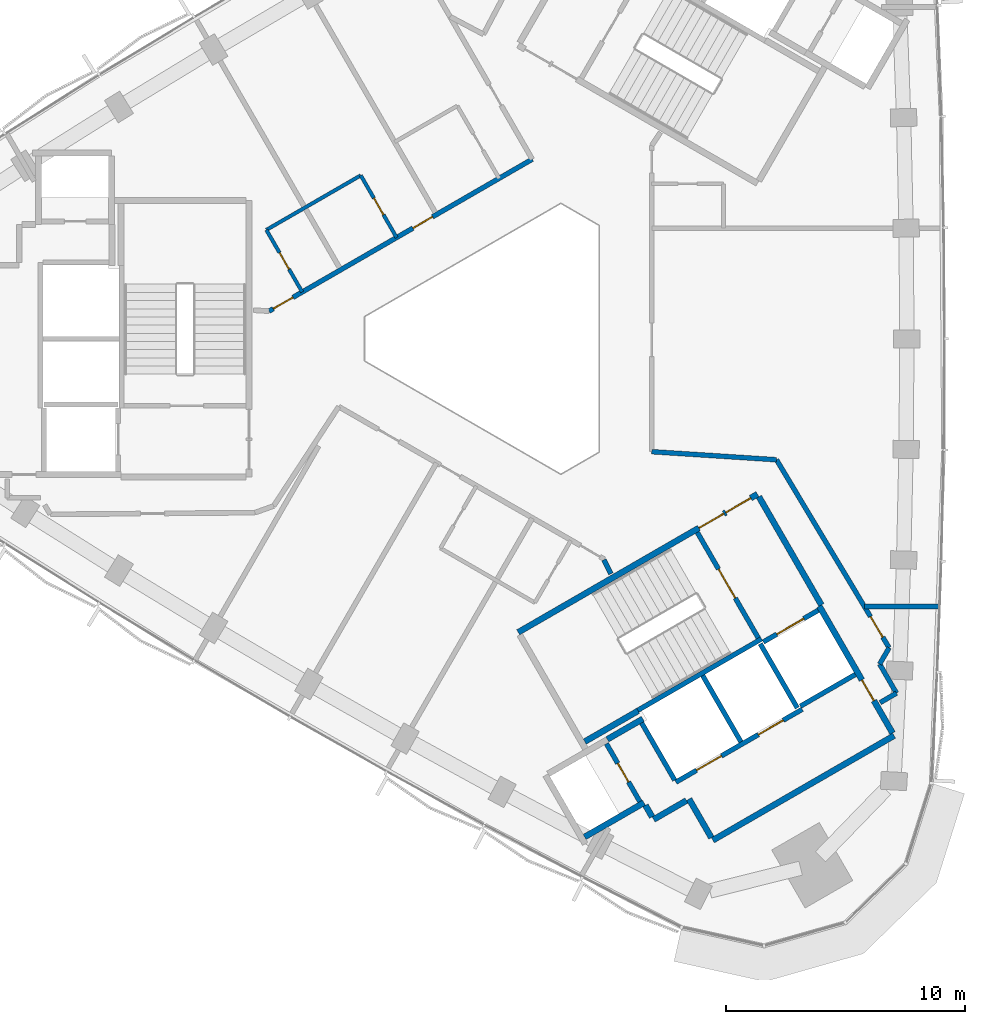
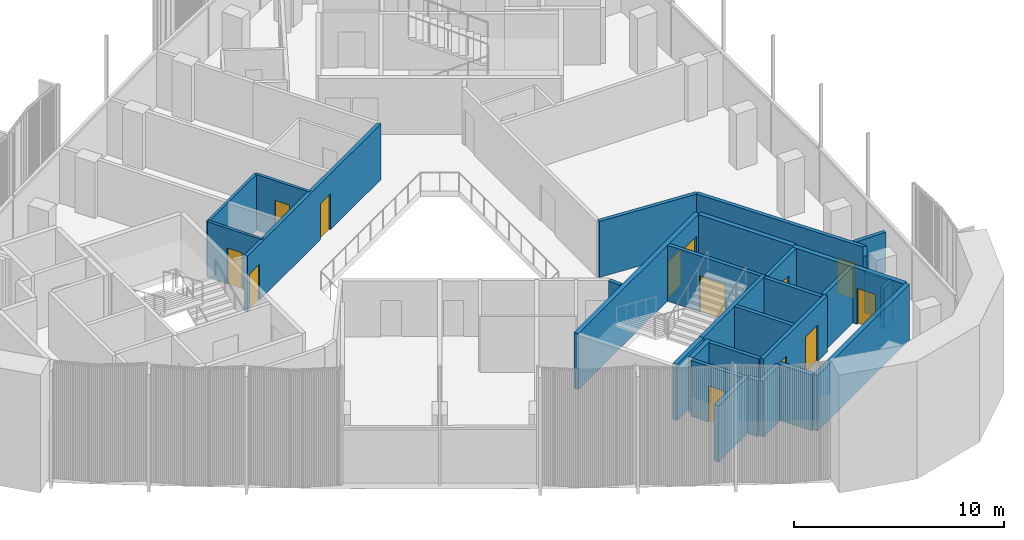
# One storey, part 9 of 14: 30 walls, 13 doors, 13 openings.
"""IFC4 building model written with IfcOpenShell, lengths in metres."""

import ifcopenshell
import ifcopenshell.guid

model = None  # the IFC model being written
_history = None  # IfcOwnerHistory: only IFC2X3 demands one
_inside = {}  # id of a spatial element -> (the spatial element, [elements in it])
_under = {}  # id of a project, library or spatial element -> (it, [spatial elements below it])
_declared = {}  # id of a project -> (the project, [libraries it declares])
_typed = {}  # id of a type object -> (the type object, [elements of that type])
_made_of = {}  # id of a material, layer set ... -> (it, [elements and type objects made of it])


def new_model(schema):
    """Start an empty IFC model of exactly this schema.

    Asked for "IFC4X3", IfcOpenShell would pick the latest addendum, in which some entities
    have other attributes; the version numbers below select the first issue.
    IFC2X3 requires an IfcOwnerHistory on every rooted entity: one is made here for all.
    """
    global model, _history
    if schema == "IFC4X3":
        model = ifcopenshell.file(schema_version=(4, 3, 0, 0))
    else:
        model = ifcopenshell.file(schema=schema)
    _inside.clear()
    _under.clear()
    _declared.clear()
    _typed.clear()
    _made_of.clear()
    _history = None
    if model.schema == "IFC2X3":
        org = make("IfcOrganization", Name="unknown")
        user = make(
            "IfcPersonAndOrganization",
            ThePerson=make("IfcPerson", FamilyName="unknown"),
            TheOrganization=org,
        )
        app = make(
            "IfcApplication",
            ApplicationDeveloper=org,
            Version="unknown",
            ApplicationFullName="unknown",
            ApplicationIdentifier="unknown",
        )
        _history = make(
            "IfcOwnerHistory",
            OwningUser=user,
            OwningApplication=app,
            ChangeAction="ADDED",
            CreationDate=0,
        )
    return model


def make(cls, **values):
    """One entity of the class cls with the attributes given. An attribute that is None is left unset."""
    return model.create_entity(
        cls, **{name: value for name, value in values.items() if value is not None}
    )


def rooted(cls, **values):
    """An entity with a GlobalId (a new one), such as an element, a storey or a relation."""
    return make(cls, GlobalId=ifcopenshell.guid.new(), OwnerHistory=_history, **values)


def si_unit(unit_type, name, prefix=None):
    """IfcSIUnit, for example si_unit("LENGTHUNIT", "METRE", prefix="MILLI")."""
    return make("IfcSIUnit", UnitType=unit_type, Prefix=prefix, Name=name)


def assignment(units):
    """IfcUnitAssignment: the units of a project."""
    return None if units is None else make("IfcUnitAssignment", Units=units)


def point(xyz):
    """IfcCartesianPoint."""
    return None if xyz is None else make("IfcCartesianPoint", Coordinates=xyz)


def direction(xyz):
    """IfcDirection."""
    return None if xyz is None else make("IfcDirection", DirectionRatios=xyz)


def frame(location, z_axis=None, x_axis=None):
    """IfcAxis2Placement3D, a coordinate frame: its origin and axes. An axis left out is left unset."""
    return make(
        "IfcAxis2Placement3D",
        Location=point(location),
        Axis=direction(z_axis),
        RefDirection=direction(x_axis),
    )


def frame_2d(location, x_axis=None):
    """IfcAxis2Placement2D, a coordinate frame in the plane: its origin and x axis."""
    return make(
        "IfcAxis2Placement2D", Location=point(location), RefDirection=direction(x_axis)
    )


def origin():
    """The frame at (0, 0, 0) with its axes left unset."""
    return frame((0.0, 0.0, 0.0))


def place(relative_to, where):
    """IfcLocalPlacement: puts the frame where relative to a parent placement (None: the world)."""
    return make(
        "IfcLocalPlacement", PlacementRelTo=relative_to, RelativePlacement=where
    )


def context(
    kind, dimensions, precision=None, world=None, true_north=None, identifier=None
):
    """IfcGeometricRepresentationContext, for example the 3D "Model" context."""
    return make(
        "IfcGeometricRepresentationContext",
        ContextIdentifier=identifier,
        ContextType=kind,
        CoordinateSpaceDimension=dimensions,
        Precision=precision,
        WorldCoordinateSystem=world,
        TrueNorth=true_north,
    )


def subcontext(parent, identifier, kind, view, scale=None):
    """IfcGeometricRepresentationSubContext, for example "Body" below "Model"."""
    return make(
        "IfcGeometricRepresentationSubContext",
        ContextIdentifier=identifier,
        ContextType=kind,
        ParentContext=parent,
        TargetScale=scale,
        TargetView=view,
    )


def project(units=None, contexts=None):
    """IfcProject with its units and contexts."""
    return rooted(
        "IfcProject",
        Name="project",
        RepresentationContexts=contexts,
        UnitsInContext=assignment(units),
    )


def spatial(cls, under=None, at=None, **own):
    """A site, building, storey or space (cls), placed at a placement, below another one or the project."""
    s = rooted(cls, ObjectPlacement=at, **own)
    if under is not None:
        _under.setdefault(under.id(), (under, []))[1].append(s)
    return s


def profile(cls, at=None, kind="AREA", **sizes):
    """A parametric profile (cls). Its sizes go by their IFC names, for example OverallWidth=200.0."""
    return make(cls, ProfileType=kind, Position=at, **sizes)


def rectangle(**sizes):
    """IfcRectangleProfileDef."""
    return profile("IfcRectangleProfileDef", **sizes)


def extrude(swept, where, along, depth):
    """IfcExtrudedAreaSolid: the profile swept, set in the frame where, extruded along a direction by depth."""
    return make(
        "IfcExtrudedAreaSolid",
        SweptArea=swept,
        Position=where,
        ExtrudedDirection=direction(along),
        Depth=depth,
    )


def shape(context_of_items, identifier, shape_type, items):
    """IfcShapeRepresentation: the items that make up one representation, for example the "Body"."""
    return make(
        "IfcShapeRepresentation",
        ContextOfItems=context_of_items,
        RepresentationIdentifier=identifier,
        RepresentationType=shape_type,
        Items=items,
    )


def material(Name=None, Category=None):
    """IfcMaterial."""
    return make("IfcMaterial", Name=Name, Category=Category)


def layer(
    of_material, thickness, ventilated=None, Name=None, Category=None, Priority=None
):
    """IfcMaterialLayer: one layer of a wall or slab, of a material (None: an air gap)."""
    return make(
        "IfcMaterialLayer",
        Material=of_material,
        LayerThickness=thickness,
        IsVentilated=ventilated,
        Name=Name,
        Category=Category,
        Priority=Priority,
    )


def layer_set(layers, Name=None):
    """IfcMaterialLayerSet."""
    return make("IfcMaterialLayerSet", MaterialLayers=layers, LayerSetName=Name)


def made_of(thing, what):
    """Note that an element or type object is made of a material, layer set ...; save() writes the relation."""
    if what is not None:
        _made_of.setdefault(what.id(), (what, []))[1].append(thing)
    return thing


def type_object(cls, material=None, **own):
    """A type object (cls), such as IfcWallType, which elements share."""
    return made_of(rooted(cls, **own), material)


def element(
    cls,
    number,
    at=None,
    inside=None,
    cuts=None,
    type_object=None,
    material=None,
    context=None,
    identifier="Body",
    shape_type=None,
    held_by="IfcProductDefinitionShape",
    body=None,
    shapes=None,
    **own,
):
    """One element of the class cls, such as IfcWall. Its Tag is "e" and its number.

    at: its placement. inside: the storey or other place that contains it. cuts: it is an
    opening in that element (IfcRelVoidsElement). A single representation is given by context,
    identifier, shape_type and body (its items); several are given by shapes. held_by: the class
    of the entity that holds the representations. save() writes the other relations.
    """
    e = rooted(cls, Tag="e%d" % number, ObjectPlacement=at, **own)
    if body is not None:
        shapes = [shape(context, identifier, shape_type, body)]
    if shapes is not None:
        e.Representation = make(held_by, Representations=shapes)
    if inside is not None:
        _inside.setdefault(inside.id(), (inside, []))[1].append(e)
    if cuts is not None:
        rooted(
            "IfcRelVoidsElement", RelatingBuildingElement=cuts, RelatedOpeningElement=e
        )
    if type_object is not None:
        _typed.setdefault(type_object.id(), (type_object, []))[1].append(e)
    return made_of(e, material)


def fill(opening, filler):
    """IfcRelFillsElement: the door or window that sits in an opening."""
    return rooted(
        "IfcRelFillsElement",
        RelatingOpeningElement=opening,
        RelatedBuildingElement=filler,
    )


def aggregate(whole, parts):
    """IfcRelAggregates: a whole, such as a stair, and the parts it consists of."""
    return rooted("IfcRelAggregates", RelatingObject=whole, RelatedObjects=parts)


def save(model, path):
    """Write the relations noted so far, then the file.

    IfcRelAggregates (storeys below a building ...), IfcRelContainedInSpatialStructure (elements
    in a storey), IfcRelDefinesByType, IfcRelAssociatesMaterial and IfcRelDeclares: one each for
    every whole, place, type object, material and project.
    """
    for whole, parts in _under.values():
        aggregate(whole, parts)
    for where, things in _inside.values():
        rooted(
            "IfcRelContainedInSpatialStructure",
            RelatedElements=things,
            RelatingStructure=where,
        )
    for kind, things in _typed.values():
        rooted("IfcRelDefinesByType", RelatedObjects=things, RelatingType=kind)
    for what, things in _made_of.values():
        rooted("IfcRelAssociatesMaterial", RelatedObjects=things, RelatingMaterial=what)
    for by, libraries in _declared.values():
        rooted("IfcRelDeclares", RelatingContext=by, RelatedDefinitions=libraries)
    model.write(path)


model = new_model("IFC4")

# Units and contexts
model_context = context("Model", 3, precision=1e-05, world=origin(), true_north=direction((0.0, 1.0)))
body_context = subcontext(model_context, "Body", "Model", "MODEL_VIEW")
ifc_project = project(units=[si_unit("LENGTHUNIT", "METRE"), si_unit("AREAUNIT", "SQUARE_METRE"), si_unit("VOLUMEUNIT", "CUBIC_METRE"), si_unit("PLANEANGLEUNIT", "RADIAN"), si_unit("MASSUNIT", "GRAM", prefix="KILO")], contexts=[model_context])

# Site, building, storey
site_placement = place(None, origin())
site = spatial("IfcSite", under=ifc_project, at=site_placement, CompositionType="ELEMENT")
building_placement = place(site_placement, origin())
building = spatial("IfcBuilding", under=site, at=building_placement, Name="Tamra Quay Hotel Tower", CompositionType="ELEMENT")
storey_placement = place(building_placement, frame((0.0, 0.0, 221.39990234375)))
storey = spatial("IfcBuildingStorey", under=building, at=storey_placement, Name="L55", CompositionType="ELEMENT", Elevation=221.39990234375)

# Wall
ifc_material_1 = material(Name="Concrete M70", Category="concrete")
ifc_layer_1 = layer(ifc_material_1, 0.199951171875)
ifc_layer_set_1 = layer_set([ifc_layer_1], Name="Concrete M70 core wall 200")
wall_type_1 = type_object("IfcWallType", Name="Concrete M70 core wall 200", PredefinedType="SHEAR", material=ifc_layer_set_1)
wall_1_placement = place(storey_placement, frame((5.4189453125, -15.533935546875, 0.0), z_axis=(0.0, 0.0, 1.0), x_axis=(0.866029065029, 0.499993658486, 0.0)))
element("IfcWall", 1, at=wall_1_placement, inside=storey, type_object=wall_type_1, Name="CW2", PredefinedType="SHEAR", context=body_context, shape_type="SweptSolid", body=[
    extrude(rectangle(XDim=5.97412109375, YDim=0.199951171875, at=frame_2d((2.987060546875, 0.0))), origin(), (0.0, 0.0, 1.0), 3.25),
])

# Wall, openings, doors
wall_2_placement = place(storey_placement, frame((7.009765625, -18.54150390625, 0.0), z_axis=(0.0, 0.0, 1.0), x_axis=(0.866030299012, 0.499991521122, 0.0)))
wall_2 = element("IfcWall", 2, at=wall_2_placement, inside=storey, type_object=wall_type_1, Name="CW2", PredefinedType="SHEAR", context=body_context, shape_type="SweptSolid", body=[
    extrude(rectangle(XDim=6.10009765625, YDim=0.199951171875, at=frame_2d((3.050048828125, 0.0))), origin(), (0.0, 0.0, 1.0), 3.25),
])
opening_1_placement = place(wall_2_placement, frame((1.0, 0.0, 0.0)))
opening_1 = element("IfcOpeningElement", 3, at=opening_1_placement, cuts=wall_2, Name="Opening LD", PredefinedType="OPENING", context=body_context, shape_type="SweptSolid", body=[
    extrude(rectangle(XDim=1.199951171875, YDim=2.10009765625, at=frame_2d((0.60009765625, 1.050048828125))), frame((0.0, 0.10986328125, 0.0), z_axis=(0.0, -1.0, 0.0), x_axis=(1.0, 0.0, 0.0)), (0.0, 0.0, 1.0), 0.219970703125),
])
opening_2_placement = place(wall_2_placement, frame((3.982177734375, 0.0, 0.0)))
opening_2 = element("IfcOpeningElement", 4, at=opening_2_placement, cuts=wall_2, Name="Opening LD", PredefinedType="OPENING", context=body_context, shape_type="SweptSolid", body=[
    extrude(rectangle(XDim=1.199951171875, YDim=2.10009765625, at=frame_2d((0.60009765625, 1.050048828125))), frame((0.0, 0.10986328125, 0.0), z_axis=(0.0, -1.0, 0.0), x_axis=(1.0, 0.0, 0.0)), (0.0, 0.0, 1.0), 0.219970703125),
])
ifc_material_2 = material(Name="Landing door LD 1200 double door sliding")
door_type_1 = type_object("IfcDoorType", Name="Landing door LD 1200 double door sliding", OperationType="DOUBLE_DOOR_SLIDING", PredefinedType="DOOR", material=ifc_material_2)
door_1_placement = place(opening_1_placement, origin())
door_1 = element("IfcDoor", 5, at=door_1_placement, inside=storey, type_object=door_type_1, Name="LD", OperationType="DOUBLE_DOOR_SLIDING", OverallHeight=2.10009765625, OverallWidth=1.199951171875, PredefinedType="DOOR", context=body_context, shape_type="SweptSolid", body=[
    extrude(rectangle(XDim=1.199951171875, YDim=2.10009765625, at=frame_2d((0.60009765625, 1.050048828125))), frame((0.0, 0.02490234375, 0.0), z_axis=(0.0, -1.0, 0.0), x_axis=(1.0, 0.0, 0.0)), (0.0, 0.0, 1.0), 0.050048828125),
])
fill(opening_1, door_1)
door_2_placement = place(opening_2_placement, origin())
door_2 = element("IfcDoor", 6, at=door_2_placement, inside=storey, type_object=door_type_1, Name="LD", OperationType="DOUBLE_DOOR_SLIDING", OverallHeight=2.10009765625, OverallWidth=1.199951171875, PredefinedType="DOOR", context=body_context, shape_type="SweptSolid", body=[
    extrude(rectangle(XDim=1.199951171875, YDim=2.10009765625, at=frame_2d((0.60009765625, 1.050048828125))), frame((0.0, 0.02490234375, 0.0), z_axis=(0.0, -1.0, 0.0), x_axis=(1.0, 0.0, 0.0)), (0.0, 0.0, 1.0), 0.050048828125),
])
fill(opening_2, door_2)

# Wall, opening, door
wall_3_placement = place(storey_placement, frame((7.906494140625, -8.094482421875, 0.0), z_axis=(0.0, 0.0, 1.0), x_axis=(0.500027839223, -0.866009330205, 0.0)))
wall_3 = element("IfcWall", 7, at=wall_3_placement, inside=storey, type_object=wall_type_1, Name="CW2", PredefinedType="SHEAR", context=body_context, shape_type="SweptSolid", body=[
    extrude(rectangle(XDim=5.097900390625, YDim=0.199951171875, at=frame_2d((2.548828125, 0.0))), origin(), (0.0, 0.0, 1.0), 3.25),
])
opening_3_placement = place(wall_3_placement, frame((1.77392578125, 0.0, 0.0)))
opening_3 = element("IfcOpeningElement", 8, at=opening_3_placement, cuts=wall_3, Name="Opening FD2", PredefinedType="OPENING", context=body_context, shape_type="SweptSolid", body=[
    extrude(rectangle(XDim=1.39990234375, YDim=2.10009765625, at=frame_2d((0.699951171875, 1.050048828125))), frame((0.0, 0.10986328125, 0.0), z_axis=(0.0, -1.0, 0.0), x_axis=(1.0, 0.0, 0.0)), (0.0, 0.0, 1.0), 0.219970703125),
])
ifc_material_3 = material(Name="Core door FD2 1400x2100 RH")
door_type_2 = type_object("IfcDoorType", Name="Core door FD2 1400x2100 RH", OperationType="NOTDEFINED", PredefinedType="DOOR", material=ifc_material_3)
door_3_placement = place(opening_3_placement, origin())
door_3 = element("IfcDoor", 9, at=door_3_placement, inside=storey, type_object=door_type_2, Name="FD2", OperationType="SINGLE_SWING_RIGHT", OverallHeight=2.10009765625, OverallWidth=1.39990234375, PredefinedType="DOOR", context=body_context, shape_type="SweptSolid", body=[
    extrude(rectangle(XDim=1.39990234375, YDim=2.10009765625, at=frame_2d((0.699951171875, 1.050048828125))), frame((0.0, 0.02490234375, 0.0), z_axis=(0.0, -1.0, 0.0), x_axis=(1.0, 0.0, 0.0)), (0.0, 0.0, 1.0), 0.050048828125),
])
fill(opening_3, door_3)

# Wall
wall_4_placement = place(storey_placement, frame((8.131591796875, -14.084228515625, 0.0), z_axis=(0.0, 0.0, 1.0), x_axis=(0.499997778408, -0.866026686418, 0.0)))
element("IfcWall", 10, at=wall_4_placement, inside=storey, type_object=wall_type_1, Name="CW2", PredefinedType="SHEAR", context=body_context, shape_type="SweptSolid", body=[
    extrude(rectangle(XDim=3.1982421875, YDim=0.199951171875, at=frame_2d((1.59912109375, 0.0))), origin(), (0.0, 0.0, 1.0), 3.25),
])

# Wall, opening, door
wall_5_placement = place(storey_placement, frame((5.50341796875, -19.352294921875, 0.0), z_axis=(0.0, 0.0, 1.0), x_axis=(-0.499986818241, 0.866033014143, 0.0)))
wall_5 = element("IfcWall", 11, at=wall_5_placement, inside=storey, type_object=wall_type_1, Name="CW2", PredefinedType="SHEAR", context=body_context, shape_type="SweptSolid", body=[
    extrude(rectangle(XDim=2.7978515625, YDim=0.199951171875, at=frame_2d((1.39892578125, 0.0))), origin(), (0.0, 0.0, 1.0), 3.25),
])
opening_4_placement = place(wall_5_placement, frame((0.948974609375, 0.0, 0.0)))
opening_4 = element("IfcOpeningElement", 12, at=opening_4_placement, cuts=wall_5, Name="Opening D1", PredefinedType="OPENING", context=body_context, shape_type="SweptSolid", body=[
    extrude(rectangle(XDim=0.89990234375, YDim=2.10009765625, at=frame_2d((0.449951171875, 1.050048828125))), frame((0.0, 0.10986328125, 0.0), z_axis=(0.0, -1.0, 0.0), x_axis=(1.0, 0.0, 0.0)), (0.0, 0.0, 1.0), 0.219970703125),
])
ifc_material_4 = material(Name="Core door D1 900x2100 LH")
door_type_3 = type_object("IfcDoorType", Name="Core door D1 900x2100 LH", OperationType="NOTDEFINED", PredefinedType="DOOR", material=ifc_material_4)
door_4_placement = place(opening_4_placement, origin())
door_4 = element("IfcDoor", 13, at=door_4_placement, inside=storey, type_object=door_type_3, Name="D1", OperationType="SINGLE_SWING_LEFT", OverallHeight=2.10009765625, OverallWidth=0.89990234375, PredefinedType="DOOR", context=body_context, shape_type="SweptSolid", body=[
    extrude(rectangle(XDim=0.89990234375, YDim=2.10009765625, at=frame_2d((0.449951171875, 1.050048828125))), frame((0.0, 0.02490234375, 0.0), z_axis=(0.0, -1.0, 0.0), x_axis=(1.0, 0.0, 0.0)), (0.0, 0.0, 1.0), 0.050048828125),
])
fill(opening_4, door_4)

# Walls
wall_6_placement = place(storey_placement, frame((6.959716796875, -18.455078125, 0.0), z_axis=(0.0, 0.0, 1.0), x_axis=(-0.499926705758, 0.866067716099, 0.0)))
element("IfcWall", 14, at=wall_6_placement, inside=storey, type_object=wall_type_1, Name="CW2", PredefinedType="SHEAR", context=body_context, shape_type="SweptSolid", body=[
    extrude(rectangle(XDim=2.75927734375, YDim=0.199951171875, at=frame_2d((1.379638671875, 0.0))), origin(), (0.0, 0.0, 1.0), 3.25),
])
wall_7_placement = place(storey_placement, frame((12.087646484375, -15.4365234375, 0.0), z_axis=(0.0, 0.0, 1.0), x_axis=(-0.500026960575, 0.86600983753, 0.0)))
element("IfcWall", 15, at=wall_7_placement, inside=storey, type_object=wall_type_1, Name="CW2", PredefinedType="SHEAR", context=body_context, shape_type="SweptSolid", body=[
    extrude(rectangle(XDim=3.099853515625, YDim=0.199951171875, at=frame_2d((1.5498046875, 0.0))), origin(), (0.0, 0.0, 1.0), 3.25),
])

# Wall, opening, door
wall_8_placement = place(storey_placement, frame((10.666015625, -12.677734375, 0.0), z_axis=(0.0, 0.0, 1.0), x_axis=(0.866018407898, 0.500012117035, 0.0)))
wall_8 = element("IfcWall", 16, at=wall_8_placement, inside=storey, type_object=wall_type_1, Name="CW2", PredefinedType="SHEAR", context=body_context, shape_type="SweptSolid", body=[
    extrude(rectangle(XDim=2.65087890625, YDim=0.199951171875, at=frame_2d((1.325439453125, 0.0))), origin(), (0.0, 0.0, 1.0), 3.25),
])
opening_5_placement = place(wall_8_placement, frame((0.65185546875, 0.0, 0.0)))
opening_5 = element("IfcOpeningElement", 17, at=opening_5_placement, cuts=wall_8, Name="Opening LD", PredefinedType="OPENING", context=body_context, shape_type="SweptSolid", body=[
    extrude(rectangle(XDim=1.300048828125, YDim=2.10009765625, at=frame_2d((0.64990234375, 1.050048828125))), frame((0.0, 0.10986328125, 0.0), z_axis=(0.0, -1.0, 0.0), x_axis=(1.0, 0.0, 0.0)), (0.0, 0.0, 1.0), 0.219970703125),
])
ifc_material_5 = material(Name="Landing door LD 1300 sliding to right")
door_type_4 = type_object("IfcDoorType", Name="Landing door LD 1300 sliding to right", OperationType="NOTDEFINED", PredefinedType="DOOR", material=ifc_material_5)
door_5_placement = place(opening_5_placement, origin())
door_5 = element("IfcDoor", 18, at=door_5_placement, inside=storey, type_object=door_type_4, Name="LD", OperationType="SLIDING_TO_RIGHT", OverallHeight=2.10009765625, OverallWidth=1.300048828125, PredefinedType="DOOR", context=body_context, shape_type="SweptSolid", body=[
    extrude(rectangle(XDim=1.300048828125, YDim=2.10009765625, at=frame_2d((0.64990234375, 1.050048828125))), frame((0.0, 0.02490234375, 0.0), z_axis=(0.0, -1.0, 0.0), x_axis=(1.0, 0.0, 0.0)), (0.0, 0.0, 1.0), 0.050048828125),
])
fill(opening_5, door_5)

# Wall
wall_9_placement = place(storey_placement, frame((14.51171875, -14.037109375, 0.0), z_axis=(0.0, 0.0, 1.0), x_axis=(-0.866018407898, -0.500012117035, 0.0)))
element("IfcWall", 19, at=wall_9_placement, inside=storey, type_object=wall_type_1, Name="CW2", PredefinedType="SHEAR", context=body_context, shape_type="SweptSolid", body=[
    extrude(rectangle(XDim=2.65087890625, YDim=0.199951171875, at=frame_2d((1.325439453125, 0.0))), origin(), (0.0, 0.0, 1.0), 3.25),
])

# Wall, openings, doors
ifc_layer_2 = layer(ifc_material_1, 0.25)
ifc_layer_set_2 = layer_set([ifc_layer_2], Name="Concrete M70 core wall 250")
wall_type_2 = type_object("IfcWallType", Name="Concrete M70 core wall 250", PredefinedType="SHEAR", material=ifc_layer_set_2)
wall_10_placement = place(storey_placement, frame((0.417236328125, -12.27294921875, 0.0), z_axis=(0.0, 0.0, 1.0), x_axis=(0.866021906294, 0.500006057782, 0.0)))
wall_10 = element("IfcWall", 20, at=wall_10_placement, inside=storey, type_object=wall_type_2, Name="CW1", PredefinedType="SHEAR", context=body_context, shape_type="SweptSolid", body=[
    extrude(rectangle(XDim=11.550048828125, YDim=0.25, at=frame_2d((5.77490234375, 0.0))), origin(), (0.0, 0.0, 1.0), 3.25),
])
opening_6_placement = place(wall_10_placement, frame((10.024658203125, 0.0, 0.0)))
opening_6 = element("IfcOpeningElement", 21, at=opening_6_placement, cuts=wall_10, Name="Opening FD1", PredefinedType="OPENING", context=body_context, shape_type="SweptSolid", body=[
    extrude(rectangle(XDim=1.199951171875, YDim=2.10009765625, at=frame_2d((0.60009765625, 1.050048828125))), frame((0.0, 0.135009765625, 0.0), z_axis=(0.0, -1.0, 0.0), x_axis=(1.0, 0.0, 0.0)), (0.0, 0.0, 1.0), 0.27001953125),
])
opening_7_placement = place(wall_10_placement, frame((8.724609375, 0.0, 0.0)))
opening_7 = element("IfcOpeningElement", 22, at=opening_7_placement, cuts=wall_10, Name="Opening FD1", PredefinedType="OPENING", context=body_context, shape_type="SweptSolid", body=[
    extrude(rectangle(XDim=1.199951171875, YDim=2.10009765625, at=frame_2d((0.60009765625, 1.050048828125))), frame((0.0, 0.135009765625, 0.0), z_axis=(0.0, -1.0, 0.0), x_axis=(1.0, 0.0, 0.0)), (0.0, 0.0, 1.0), 0.27001953125),
])
ifc_material_6 = material(Name="Core door FD1 1200x2100 LH")
door_type_5 = type_object("IfcDoorType", Name="Core door FD1 1200x2100 LH", OperationType="NOTDEFINED", PredefinedType="DOOR", material=ifc_material_6)
door_6_placement = place(opening_6_placement, origin())
door_6 = element("IfcDoor", 23, at=door_6_placement, inside=storey, type_object=door_type_5, Name="FD1", OperationType="SINGLE_SWING_LEFT", OverallHeight=2.10009765625, OverallWidth=1.199951171875, PredefinedType="DOOR", context=body_context, shape_type="SweptSolid", body=[
    extrude(rectangle(XDim=1.199951171875, YDim=2.10009765625, at=frame_2d((0.60009765625, 1.050048828125))), frame((0.0, 0.02490234375, 0.0), z_axis=(0.0, -1.0, 0.0), x_axis=(1.0, 0.0, 0.0)), (0.0, 0.0, 1.0), 0.050048828125),
])
fill(opening_6, door_6)
ifc_material_7 = material(Name="Core door FD1 1200x2100 RH")
door_type_6 = type_object("IfcDoorType", Name="Core door FD1 1200x2100 RH", OperationType="NOTDEFINED", PredefinedType="DOOR", material=ifc_material_7)
door_7_placement = place(opening_7_placement, origin())
door_7 = element("IfcDoor", 24, at=door_7_placement, inside=storey, type_object=door_type_6, Name="FD1", OperationType="SINGLE_SWING_RIGHT", OverallHeight=2.10009765625, OverallWidth=1.199951171875, PredefinedType="DOOR", context=body_context, shape_type="SweptSolid", body=[
    extrude(rectangle(XDim=1.199951171875, YDim=2.10009765625, at=frame_2d((0.60009765625, 1.050048828125))), frame((0.0, 0.02490234375, 0.0), z_axis=(0.0, -1.0, 0.0), x_axis=(1.0, 0.0, 0.0)), (0.0, 0.0, 1.0), 0.050048828125),
])
fill(opening_7, door_7)

# Wall
wall_11_placement = place(storey_placement, frame((16.13330078125, -16.59375, 0.0), z_axis=(0.0, 0.0, 1.0), x_axis=(-0.866022959057, -0.500004234368, 0.0)))
element("IfcWall", 25, at=wall_11_placement, inside=storey, type_object=wall_type_2, Name="CW1", PredefinedType="SHEAR", context=body_context, shape_type="SweptSolid", body=[
    extrude(rectangle(XDim=8.75, YDim=0.25, at=frame_2d((4.375, 0.0))), origin(), (0.0, 0.0, 1.0), 3.25),
])

# Wall, opening, door
wall_12_placement = place(storey_placement, frame((13.00830078125, -11.18115234375, 0.0), z_axis=(0.0, 0.0, 1.0), x_axis=(0.500001955336, -0.866024274868, 0.0)))
wall_12 = element("IfcWall", 26, at=wall_12_placement, inside=storey, type_object=wall_type_2, Name="CW1", PredefinedType="SHEAR", context=body_context, shape_type="SweptSolid", body=[
    extrude(rectangle(XDim=6.12451171875, YDim=0.25, at=frame_2d((3.062255859375, 0.0))), origin(), (0.0, 0.0, 1.0), 3.25),
])
opening_8_placement = place(wall_12_placement, frame((3.562744140625, 0.0, 0.0)))
opening_8 = element("IfcOpeningElement", 27, at=opening_8_placement, cuts=wall_12, Name="Opening FD3", PredefinedType="OPENING", context=body_context, shape_type="SweptSolid", body=[
    extrude(rectangle(XDim=1.0, YDim=2.10009765625, at=frame_2d((0.5, 1.050048828125))), frame((0.0, 0.135009765625, 0.0), z_axis=(0.0, -1.0, 0.0), x_axis=(1.0, 0.0, 0.0)), (0.0, 0.0, 1.0), 0.27001953125),
])
ifc_material_8 = material(Name="Core door FD3 1000x2100 LH")
door_type_7 = type_object("IfcDoorType", Name="Core door FD3 1000x2100 LH", OperationType="NOTDEFINED", PredefinedType="DOOR", material=ifc_material_8)
door_8_placement = place(opening_8_placement, origin())
door_8 = element("IfcDoor", 28, at=door_8_placement, inside=storey, type_object=door_type_7, Name="FD3", OperationType="SINGLE_SWING_LEFT", OverallHeight=2.10009765625, OverallWidth=1.0, PredefinedType="DOOR", context=body_context, shape_type="SweptSolid", body=[
    extrude(rectangle(XDim=1.0, YDim=2.10009765625, at=frame_2d((0.5, 1.050048828125))), frame((0.0, 0.02490234375, 0.0), z_axis=(0.0, -1.0, 0.0), x_axis=(1.0, 0.0, 0.0)), (0.0, 0.0, 1.0), 0.050048828125),
])
fill(opening_8, door_8)

# Walls
wall_13_placement = place(storey_placement, frame((10.482666015625, -6.6064453125, 0.0), z_axis=(0.0, 0.0, 1.0), x_axis=(0.49999885962, -0.866026062182, 0.0)))
element("IfcWall", 29, at=wall_13_placement, inside=storey, type_object=wall_type_2, Name="CW1", PredefinedType="SHEAR", context=body_context, shape_type="SweptSolid", body=[
    extrude(rectangle(XDim=5.224609375, YDim=0.25, at=frame_2d((2.6123046875, 0.0))), origin(), (0.0, 0.0, 1.0), 3.25),
])
wall_14_placement = place(storey_placement, frame((5.6748046875, -19.39892578125, 0.0), z_axis=(0.0, 0.0, 1.0), x_axis=(-0.866026637627, -0.499997862916, 0.0)))
element("IfcWall", 30, at=wall_14_placement, inside=storey, type_object=wall_type_2, Name="CW1", PredefinedType="SHEAR", context=body_context, shape_type="SweptSolid", body=[
    extrude(rectangle(XDim=2.86474609375, YDim=0.25, at=frame_2d((1.432373046875, 0.0))), origin(), (0.0, 0.0, 1.0), 3.25),
])
wall_15_placement = place(storey_placement, frame((5.4306640625, -15.55615234375, 0.0), z_axis=(0.0, 0.0, 1.0), x_axis=(-0.866022940537, -0.500004266446, 0.0)))
element("IfcWall", 31, at=wall_15_placement, inside=storey, type_object=wall_type_2, Name="CW1", PredefinedType="SHEAR", context=body_context, shape_type="SweptSolid", body=[
    extrude(rectangle(XDim=2.57470703125, YDim=0.25, at=frame_2d((1.287353515625, 0.0))), origin(), (0.0, 0.0, 1.0), 3.25),
])
wall_16_placement = place(storey_placement, frame((8.492919921875, -20.860107421875, 0.0), z_axis=(0.0, 0.0, 1.0), x_axis=(-0.500039802285, 0.866002422705, 0.0)))
element("IfcWall", 32, at=wall_16_placement, inside=storey, type_object=wall_type_2, Name="CW1", PredefinedType="SHEAR", context=body_context, shape_type="SweptSolid", body=[
    extrude(rectangle(XDim=1.864501953125, YDim=0.25, at=frame_2d((0.93212890625, 0.0))), origin(), (0.0, 0.0, 1.0), 3.25),
])
wall_17_placement = place(storey_placement, frame((4.144775390625, -16.748779296875, 0.0), z_axis=(0.0, 0.0, 1.0), x_axis=(0.866038183914, 0.499977863513, 0.0)))
element("IfcWall", 33, at=wall_17_placement, inside=storey, type_object=wall_type_2, Name="CW1", PredefinedType="SHEAR", context=body_context, shape_type="SweptSolid", body=[
    extrude(rectangle(XDim=1.7099609375, YDim=0.25, at=frame_2d((0.85498046875, 0.0))), origin(), (0.0, 0.0, 1.0), 3.25),
])
wall_18_placement = place(storey_placement, frame((7.451904296875, -19.30810546875, 0.0), z_axis=(0.0, 0.0, 1.0), x_axis=(-0.866044474677, -0.49996696679, 0.0)))
element("IfcWall", 34, at=wall_18_placement, inside=storey, type_object=wall_type_2, Name="CW1", PredefinedType="SHEAR", context=body_context, shape_type="SweptSolid", body=[
    extrude(rectangle(XDim=1.58447265625, YDim=0.25, at=frame_2d((0.792236328125, 0.0))), origin(), (0.0, 0.0, 1.0), 3.25),
])
wall_19_placement = place(storey_placement, frame((6.01708984375, -19.99169921875, 0.0), z_axis=(0.0, 0.0, 1.0), x_axis=(-0.500364886717, 0.865814633822, 0.0)))
element("IfcWall", 35, at=wall_19_placement, inside=storey, type_object=wall_type_2, Name="CW1", PredefinedType="SHEAR", context=body_context, shape_type="SweptSolid", body=[
    extrude(rectangle(XDim=0.55908203125, YDim=0.25, at=frame_2d((0.279541015625, 0.0))), origin(), (0.0, 0.0, 1.0), 3.25),
])

# Wall, openings, doors
ifc_material_9 = material(Name="Partition corridor wall")
ifc_layer_3 = layer(ifc_material_9, 0.199951171875)
ifc_layer_set_3 = layer_set([ifc_layer_3], Name="Partition corridor wall")
wall_type_3 = type_object("IfcWallType", Name="Partition corridor wall", PredefinedType="PARTITIONING", material=ifc_layer_set_3)
wall_20_placement = place(storey_placement, frame((-10.0, 1.155029296875, 0.0), z_axis=(0.0, 0.0, 1.0), x_axis=(0.866014095592, 0.500019585852, 0.0)))
wall_20 = element("IfcWall", 36, at=wall_20_placement, inside=storey, type_object=wall_type_3, Name="W-C", PredefinedType="PARTITIONING", context=body_context, shape_type="SweptSolid", body=[
    extrude(rectangle(XDim=12.70751953125, YDim=0.199951171875, at=frame_2d((6.353759765625, 0.0))), origin(), (0.0, 0.0, 1.0), 3.25),
])
opening_9_placement = place(wall_20_placement, frame((6.9443359375, 0.0, 0.0)))
opening_9 = element("IfcOpeningElement", 37, at=opening_9_placement, cuts=wall_20, Name="Opening L55-D005", PredefinedType="OPENING", context=body_context, shape_type="SweptSolid", body=[
    extrude(rectangle(XDim=0.949951171875, YDim=2.10009765625, at=frame_2d((0.47509765625, 1.050048828125))), frame((0.0, 0.10986328125, 0.0), z_axis=(0.0, -1.0, 0.0), x_axis=(1.0, 0.0, 0.0)), (0.0, 0.0, 1.0), 0.219970703125),
])
opening_10_placement = place(wall_20_placement, frame((0.199951171875, 0.0, 0.0)))
opening_10 = element("IfcOpeningElement", 38, at=opening_10_placement, cuts=wall_20, Name="Opening L55-D007", PredefinedType="OPENING", context=body_context, shape_type="SweptSolid", body=[
    extrude(rectangle(XDim=0.949951171875, YDim=2.10009765625, at=frame_2d((0.47509765625, 1.050048828125))), frame((0.0, 0.10986328125, 0.0), z_axis=(0.0, -1.0, 0.0), x_axis=(1.0, 0.0, 0.0)), (0.0, 0.0, 1.0), 0.219970703125),
])
ifc_material_10 = material(Name="Door guest room 950x2100")
door_type_8 = type_object("IfcDoorType", Name="Door guest room 950x2100", OperationType="NOTDEFINED", PredefinedType="DOOR", material=ifc_material_10)
door_9_placement = place(opening_9_placement, origin())
door_9 = element("IfcDoor", 39, at=door_9_placement, inside=storey, type_object=door_type_8, Name="L55-D005", OperationType="SINGLE_SWING_LEFT", OverallHeight=2.10009765625, OverallWidth=0.949951171875, PredefinedType="DOOR", context=body_context, shape_type="SweptSolid", body=[
    extrude(rectangle(XDim=0.949951171875, YDim=2.10009765625, at=frame_2d((0.47509765625, 1.050048828125))), frame((0.0, 0.02490234375, 0.0), z_axis=(0.0, -1.0, 0.0), x_axis=(1.0, 0.0, 0.0)), (0.0, 0.0, 1.0), 0.050048828125),
])
fill(opening_9, door_9)
door_10_placement = place(opening_10_placement, origin())
door_10 = element("IfcDoor", 40, at=door_10_placement, inside=storey, type_object=door_type_8, Name="L55-D007", OperationType="SINGLE_SWING_LEFT", OverallHeight=2.10009765625, OverallWidth=0.949951171875, PredefinedType="DOOR", context=body_context, shape_type="SweptSolid", body=[
    extrude(rectangle(XDim=0.949951171875, YDim=2.10009765625, at=frame_2d((0.47509765625, 1.050048828125))), frame((0.0, 0.02490234375, 0.0), z_axis=(0.0, -1.0, 0.0), x_axis=(1.0, 0.0, 0.0)), (0.0, 0.0, 1.0), 0.050048828125),
])
fill(opening_10, door_10)

# Walls
wall_21_placement = place(storey_placement, frame((4.0, -9.238037109375, 0.0), z_axis=(0.0, 0.0, 1.0), x_axis=(0.444370954227, -0.89584287408, 0.0)))
element("IfcWall", 41, at=wall_21_placement, inside=storey, type_object=wall_type_3, Name="W-C", PredefinedType="PARTITIONING", context=body_context, shape_type="SweptSolid", body=[
    extrude(rectangle(XDim=0.6533203125, YDim=0.199951171875, at=frame_2d((0.32666015625, 0.0))), origin(), (0.0, 0.0, 1.0), 3.25),
])
wall_22_placement = place(storey_placement, frame((6.0, -4.720947265625, 0.0), z_axis=(0.0, 0.0, 1.0), x_axis=(0.997917460423, -0.064503815251, 0.0)))
element("IfcWall", 42, at=wall_22_placement, inside=storey, type_object=wall_type_3, Name="W-C", PredefinedType="PARTITIONING", context=body_context, shape_type="SweptSolid", body=[
    extrude(rectangle(XDim=5.22705078125, YDim=0.199951171875, at=frame_2d((2.613525390625, 0.0))), origin(), (0.0, 0.0, 1.0), 3.25),
])

# Wall, opening, door
wall_23_placement = place(storey_placement, frame((11.216796875, -5.0576171875, 0.0), z_axis=(0.0, 0.0, 1.0), x_axis=(0.513856906336, -0.857875911662, 0.0)))
wall_23 = element("IfcWall", 43, at=wall_23_placement, inside=storey, type_object=wall_type_3, Name="W-C", PredefinedType="PARTITIONING", context=body_context, shape_type="SweptSolid", body=[
    extrude(rectangle(XDim=9.16259765625, YDim=0.199951171875, at=frame_2d((4.581298828125, 0.0))), origin(), (0.0, 0.0, 1.0), 3.25),
])
opening_11_placement = place(wall_23_placement, frame((7.649658203125, 0.0, 0.0)))
opening_11 = element("IfcOpeningElement", 44, at=opening_11_placement, cuts=wall_23, Name="Opening L55-D015", PredefinedType="OPENING", context=body_context, shape_type="SweptSolid", body=[
    extrude(rectangle(XDim=1.0, YDim=2.10009765625, at=frame_2d((0.5, 1.050048828125))), frame((0.0, 0.10986328125, 0.0), z_axis=(0.0, -1.0, 0.0), x_axis=(1.0, 0.0, 0.0)), (0.0, 0.0, 1.0), 0.219970703125),
])
ifc_material_11 = material(Name="Door guest room 1000x2100")
door_type_9 = type_object("IfcDoorType", Name="Door guest room 1000x2100", OperationType="NOTDEFINED", PredefinedType="DOOR", material=ifc_material_11)
door_11_placement = place(opening_11_placement, frame((1.0, 0.0, 0.0), z_axis=(0.0, 0.0, 1.0), x_axis=(-1.0, 0.0, 0.0)))
door_11 = element("IfcDoor", 45, at=door_11_placement, inside=storey, type_object=door_type_9, Name="L55-D015", OperationType="SINGLE_SWING_LEFT", OverallHeight=2.10009765625, OverallWidth=1.0, PredefinedType="DOOR", context=body_context, shape_type="SweptSolid", body=[
    extrude(rectangle(XDim=1.0, YDim=2.10009765625, at=frame_2d((0.5, 1.050048828125))), frame((0.0, 0.02490234375, 0.0), z_axis=(0.0, -1.0, 0.0), x_axis=(1.0, 0.0, 0.0)), (0.0, 0.0, 1.0), 0.050048828125),
])
fill(opening_11, door_11)

# Walls
wall_24_placement = place(storey_placement, frame((15.5498046875, -15.213134765625, 0.0), z_axis=(0.0, 0.0, 1.0), x_axis=(0.865989998118, 0.500061319399, 0.0)))
element("IfcWall", 46, at=wall_24_placement, inside=storey, type_object=wall_type_3, Name="W-C", PredefinedType="PARTITIONING", context=body_context, shape_type="SweptSolid", body=[
    extrude(rectangle(XDim=0.7900390625, YDim=0.199951171875, at=frame_2d((0.39501953125, 0.0))), origin(), (0.0, 0.0, 1.0), 2.35009765625),
])
wall_25_placement = place(storey_placement, frame((15.531982421875, -13.60302734375, 0.0), z_axis=(0.0, 0.0, 1.0), x_axis=(0.498203662485, 0.867060038686, 0.0)))
element("IfcWall", 47, at=wall_25_placement, inside=storey, type_object=wall_type_3, Name="W-C", PredefinedType="PARTITIONING", context=body_context, shape_type="SweptSolid", body=[
    extrude(rectangle(XDim=0.7890625, YDim=0.199951171875, at=frame_2d((0.39453125, 0.0))), origin(), (0.0, 0.0, 1.0), 3.25),
])
wall_26_placement = place(storey_placement, frame((15.531982421875, -13.60302734375, 0.0), z_axis=(0.0, 0.0, 1.0), x_axis=(0.500199332748, -0.865910288378, 0.0)))
element("IfcWall", 48, at=wall_26_placement, inside=storey, type_object=wall_type_3, Name="W-C", PredefinedType="PARTITIONING", context=body_context, shape_type="SweptSolid", body=[
    extrude(rectangle(XDim=1.4033203125, YDim=0.199951171875, at=frame_2d((0.70166015625, 0.0))), origin(), (0.0, 0.0, 1.0), 2.35009765625),
])

# Wall, opening, door
ifc_material_12 = material(Name="Partition en-suite wall")
ifc_layer_4 = layer(ifc_material_12, 0.14990234375)
ifc_layer_set_4 = layer_set([ifc_layer_4], Name="Partition en-suite wall")
wall_type_4 = type_object("IfcWallType", Name="Partition en-suite wall", PredefinedType="PARTITIONING", material=ifc_layer_set_4)
wall_27_placement = place(storey_placement, frame((-10.114013671875, 4.552978515625, 0.0), z_axis=(0.0, 0.0, 1.0), x_axis=(0.50002537861, -0.866010750942, 0.0)))
wall_27 = element("IfcWall", 49, at=wall_27_placement, inside=storey, type_object=wall_type_4, Name="W-E", PredefinedType="PARTITIONING", context=body_context, shape_type="SweptSolid", body=[
    extrude(rectangle(XDim=2.999755859375, YDim=0.14990234375, at=frame_2d((1.5, 0.0))), origin(), (0.0, 0.0, 1.0), 3.25),
])
opening_12_placement = place(wall_27_placement, frame((1.099853515625, 0.0, 0.0)))
opening_12 = element("IfcOpeningElement", 50, at=opening_12_placement, cuts=wall_27, Name="Opening L55-D008", PredefinedType="OPENING", context=body_context, shape_type="SweptSolid", body=[
    extrude(rectangle(XDim=0.800048828125, YDim=2.10009765625, at=frame_2d((0.39990234375, 1.050048828125))), frame((0.0, 0.0849609375, 0.0), z_axis=(0.0, -1.0, 0.0), x_axis=(1.0, 0.0, 0.0)), (0.0, 0.0, 1.0), 0.169921875),
])
ifc_material_13 = material(Name="Door en-suite 800x2100")
door_type_10 = type_object("IfcDoorType", Name="Door en-suite 800x2100", OperationType="NOTDEFINED", PredefinedType="DOOR", material=ifc_material_13)
door_12_placement = place(opening_12_placement, frame((0.800048828125, 0.0, 0.0), z_axis=(0.0, 0.0, 1.0), x_axis=(-1.0, 0.0, 0.0)))
door_12 = element("IfcDoor", 51, at=door_12_placement, inside=storey, type_object=door_type_10, Name="L55-D008", OperationType="SINGLE_SWING_LEFT", OverallHeight=2.10009765625, OverallWidth=0.800048828125, PredefinedType="DOOR", context=body_context, shape_type="SweptSolid", body=[
    extrude(rectangle(XDim=0.800048828125, YDim=2.10009765625, at=frame_2d((0.39990234375, 1.050048828125))), frame((0.0, 0.02490234375, 0.0), z_axis=(0.0, -1.0, 0.0), x_axis=(1.0, 0.0, 0.0)), (0.0, 0.0, 1.0), 0.050048828125),
])
fill(opening_12, door_12)

# Wall
wall_28_placement = place(storey_placement, frame((-10.114013671875, 4.552978515625, 0.0), z_axis=(0.0, 0.0, 1.0), x_axis=(0.866002713795, 0.500039298155, 0.0)))
element("IfcWall", 52, at=wall_28_placement, inside=storey, type_object=wall_type_4, Name="W-E", PredefinedType="PARTITIONING", context=body_context, shape_type="SweptSolid", body=[
    extrude(rectangle(XDim=4.557861328125, YDim=0.14990234375, at=frame_2d((2.27880859375, 0.0))), origin(), (0.0, 0.0, 1.0), 3.25),
])

# Wall, opening, door
wall_29_placement = place(storey_placement, frame((-6.1669921875, 6.83203125, 0.0), z_axis=(0.0, 0.0, 1.0), x_axis=(0.499990139034, -0.866031096941, 0.0)))
wall_29 = element("IfcWall", 53, at=wall_29_placement, inside=storey, type_object=wall_type_4, Name="W-E", PredefinedType="PARTITIONING", context=body_context, shape_type="SweptSolid", body=[
    extrude(rectangle(XDim=3.0, YDim=0.14990234375, at=frame_2d((1.5, 0.0))), origin(), (0.0, 0.0, 1.0), 3.25),
])
opening_13_placement = place(wall_29_placement, frame((1.10009765625, 0.0, 0.0)))
opening_13 = element("IfcOpeningElement", 54, at=opening_13_placement, cuts=wall_29, Name="Opening L55-D006", PredefinedType="OPENING", context=body_context, shape_type="SweptSolid", body=[
    extrude(rectangle(XDim=0.800048828125, YDim=2.10009765625, at=frame_2d((0.39990234375, 1.050048828125))), frame((0.0, 0.0849609375, 0.0), z_axis=(0.0, -1.0, 0.0), x_axis=(1.0, 0.0, 0.0)), (0.0, 0.0, 1.0), 0.169921875),
])
door_13_placement = place(opening_13_placement, frame((0.800048828125, 0.0, 0.0), z_axis=(0.0, 0.0, 1.0), x_axis=(-1.0, 0.0, 0.0)))
door_13 = element("IfcDoor", 55, at=door_13_placement, inside=storey, type_object=door_type_10, Name="L55-D006", OperationType="SINGLE_SWING_LEFT", OverallHeight=2.10009765625, OverallWidth=0.800048828125, PredefinedType="DOOR", context=body_context, shape_type="SweptSolid", body=[
    extrude(rectangle(XDim=0.800048828125, YDim=2.10009765625, at=frame_2d((0.39990234375, 1.050048828125))), frame((0.0, 0.02490234375, 0.0), z_axis=(0.0, -1.0, 0.0), x_axis=(1.0, 0.0, 0.0)), (0.0, 0.0, 1.0), 0.050048828125),
])
fill(opening_13, door_13)

# Wall
ifc_material_14 = material(Name="Partition party wall")
ifc_layer_5 = layer(ifc_material_14, 0.199951171875)
ifc_layer_set_5 = layer_set([ifc_layer_5], Name="Partition party wall")
wall_type_5 = type_object("IfcWallType", Name="Partition party wall", PredefinedType="PARTITIONING", material=ifc_layer_set_5)
wall_30_placement = place(storey_placement, frame((14.889892578125, -11.19091796875, 0.0), z_axis=(0.0, 0.0, 1.0), x_axis=(1.0, 0.0, 0.0)))
element("IfcWall", 56, at=wall_30_placement, inside=storey, type_object=wall_type_5, Name="W-P", PredefinedType="PARTITIONING", context=body_context, shape_type="SweptSolid", body=[
    extrude(rectangle(XDim=3.14208984375, YDim=0.199951171875, at=frame_2d((1.571044921875, 0.0))), origin(), (0.0, 0.0, 1.0), 2.35009765625),
])

save(model, "model.ifc")
